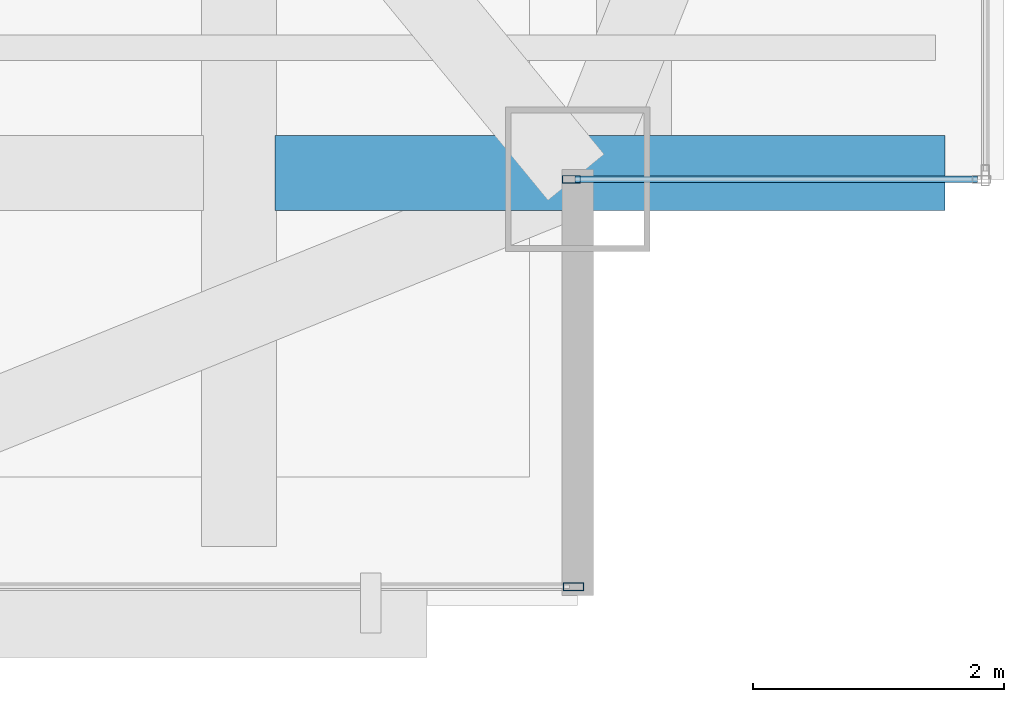
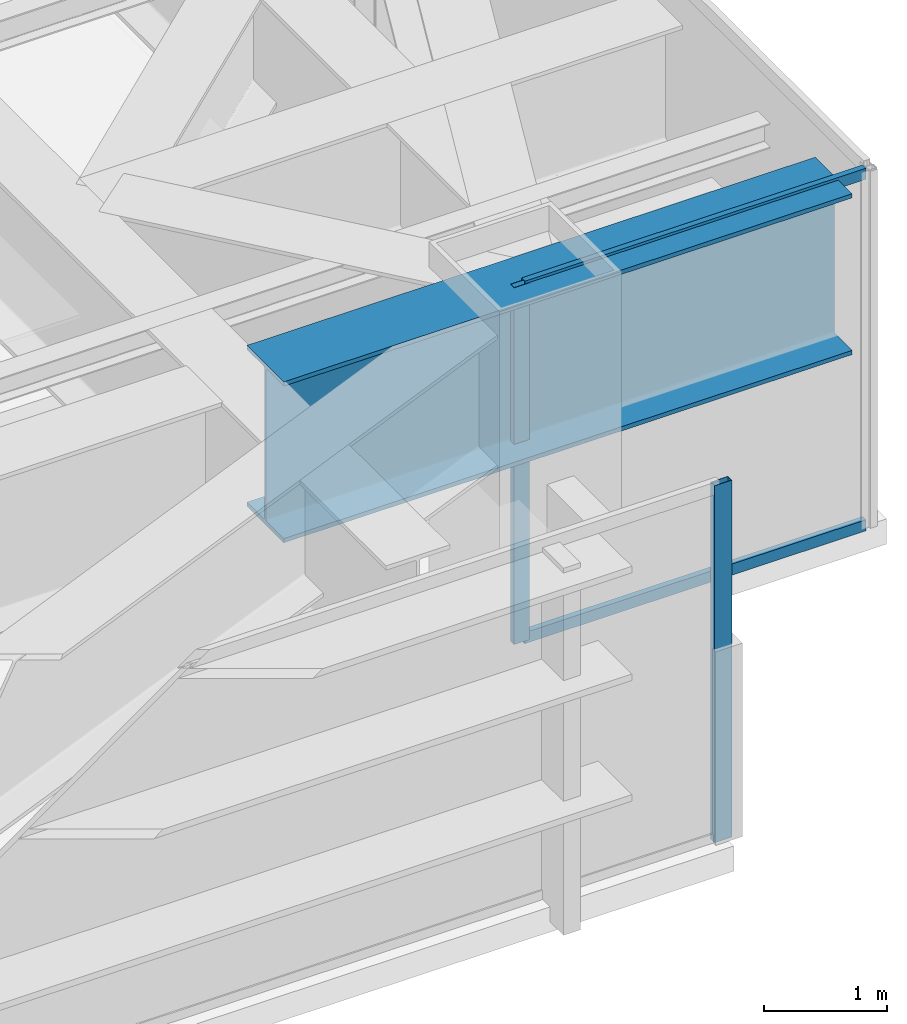
# One storey, part 12 of 23: 4 members, 1 beam, 2 elements without a shape of their own.
"""IFC4 building model written with IfcOpenShell, lengths in metres."""

from ifc_helpers import new_model, si_unit, direction, frame, origin, origin_2d, place, context, subcontext, project, spatial, hollow_rectangle, i_section, extrude, source, transform, mapped, material, layer, layer_set, material_profile, profile_set, type_object, type_shapes, element, aggregate, save


model = new_model("IFC4")

# Units and contexts
model_context = context("Model", 3, precision=1e-05, world=origin(), true_north=direction((0.0, 1.0)))
body_context = subcontext(model_context, "Body", "Model", "MODEL_VIEW")
ifc_project = project(units=[si_unit("LENGTHUNIT", "METRE"), si_unit("AREAUNIT", "SQUARE_METRE"), si_unit("VOLUMEUNIT", "CUBIC_METRE"), si_unit("PLANEANGLEUNIT", "RADIAN"), si_unit("MASSUNIT", "GRAM", prefix="KILO")], contexts=[model_context])

# Site, building, storey
site_placement = place(None, origin())
site = spatial("IfcSite", under=ifc_project, at=site_placement, CompositionType="ELEMENT")
building_placement = place(site_placement, origin())
building = spatial("IfcBuilding", under=site, at=building_placement, Name="Varnel Quay Broadcast Tower", CompositionType="ELEMENT")
storey_placement = place(building_placement, frame((0.0, 0.0, 254.60009765625)))
storey = spatial("IfcBuildingStorey", under=building, at=storey_placement, Name="L63", CompositionType="ELEMENT", Elevation=254.60009765625)

# Beam
ifc_material_1 = material(Name="Structural Steel CSA G40.21 350WT", Category="steel")
ifc_material_profile_1 = material_profile(ifc_material_1, i_section(OverallWidth=0.60009765625, OverallDepth=1.60009765625, WebThickness=0.02392578125, FlangeThickness=0.0419921875, FilletRadius=0.02197265625, at=origin_2d()), Name="WWF1600X620")
ifc_profile_set_1 = profile_set([ifc_material_profile_1], Name="Structural Steel CSA G40.21 350WT")
beam_type = type_object("IfcBeamType", Name="Girder_WWF1600X620", PredefinedType="BEAM", material=ifc_profile_set_1)
shared_shape_1 = source(origin(), body_context, "Body", "SweptSolid", [
    extrude(i_section(OverallWidth=0.60009765625, OverallDepth=1.60009765625, WebThickness=0.02392578125, FlangeThickness=0.0419921875, FilletRadius=0.02197265625, at=origin_2d()), origin(), (0.0, 0.0, 1.0), 5.344970703125),
])
type_shapes(beam_type, [shared_shape_1])
beam_placement = place(storey_placement, frame((52.68505859375, 13.64990234375, 2.75), z_axis=(1.0, 0.0, 0.0), x_axis=(0.0, 1.0, 0.0)))
element("IfcBeam", 1, at=beam_placement, inside=storey, type_object=beam_type, Name="L63 Setback South Transfer Header 8", PredefinedType="BEAM", context=body_context, shape_type="MappedRepresentation", body=[
    mapped(shared_shape_1, transform((0.0, 0.0, 0.0), x_axis=(1.0, 0.0, 0.0), y_axis=(0.0, 1.0, 0.0), z_axis=(0.0, 0.0, 1.0), scale=1.0)),
])

# Curtain wall, member
ifc_material_2 = material(Name="Anodised Bronze Aluminium 6063-T6", Category="aluminium")
ifc_layer_1 = layer(ifc_material_2, 0.18994140625, Name="Anodised Bronze Aluminium 6063-T6")
ifc_layer_set_1 = layer_set([ifc_layer_1], Name="Anodised Bronze Aluminium 6063-T6")
curtain_wall_type_1 = type_object("IfcCurtainWallType", Name="CW_NotchCorner", PredefinedType="NOTDEFINED", material=ifc_layer_set_1)
curtain_wall_1_placement = place(storey_placement, origin())
curtain_wall_1 = element("IfcCurtainWall", 2, at=curtain_wall_1_placement, inside=storey, type_object=curtain_wall_type_1, Name="L63 SE Notch Curtain Wall", PredefinedType="NOTDEFINED")
ifc_material_profile_2 = material_profile(ifc_material_2, hollow_rectangle(XDim=0.06005859375, YDim=0.14501953125, WallThickness=0.00341796875, at=origin_2d()), Name="ALU60X145X3.5")
ifc_profile_set_2 = profile_set([ifc_material_profile_2], Name="Anodised Bronze Aluminium 6063-T6")
member_type_1 = type_object("IfcMemberType", Name="Mull_CWS-04", PredefinedType="MULLION", material=ifc_profile_set_2)
shared_shape_2 = source(origin(), body_context, "Body", "SweptSolid", [
    extrude(hollow_rectangle(XDim=0.06005859375, YDim=0.14501953125, WallThickness=0.00341796875, at=origin_2d()), origin(), (0.0, 0.0, 1.0), 3.5498046875),
])
type_shapes(member_type_1, [shared_shape_2])
member_1_placement = place(storey_placement, frame((55.050048828125, 13.60009765625, 0.0), z_axis=(0.0, 0.0, 1.0), x_axis=(0.0, 1.0, 0.0)))
member_1 = element("IfcMember", 3, at=member_1_placement, type_object=member_type_1, Name="CWS-04 mullion 1", PredefinedType="MULLION", context=body_context, shape_type="MappedRepresentation", body=[
    mapped(shared_shape_2, transform((0.0, 0.0, 0.0), x_axis=(1.0, 0.0, 0.0), y_axis=(0.0, 1.0, 0.0), z_axis=(0.0, 0.0, 1.0), scale=1.0)),
])

ifc_layer_2 = layer(ifc_material_2, 0.18994140625, Name="Anodised Bronze Aluminium 6063-T6")
ifc_layer_set_2 = layer_set([ifc_layer_2], Name="Anodised Bronze Aluminium 6063-T6")
curtain_wall_type_2 = type_object("IfcCurtainWallType", Name="CW_UpperTower", PredefinedType="NOTDEFINED", material=ifc_layer_set_2)
curtain_wall_2_placement = place(storey_placement, origin())
curtain_wall_2 = element("IfcCurtainWall", 4, at=curtain_wall_2_placement, inside=storey, type_object=curtain_wall_type_2, Name="L63 South Unitised Curtain Wall 1", PredefinedType="NOTDEFINED")
ifc_material_profile_3 = material_profile(ifc_material_2, hollow_rectangle(XDim=0.06494140625, YDim=0.1650390625, WallThickness=0.00341796875, at=origin_2d()), Name="ALU65X165X3.5")
ifc_profile_set_3 = profile_set([ifc_material_profile_3], Name="Anodised Bronze Aluminium 6063-T6")
member_type_2 = type_object("IfcMemberType", Name="Mull_CWS-03", PredefinedType="MULLION", material=ifc_profile_set_3)
shared_shape_3 = source(origin(), body_context, "Body", "SweptSolid", [
    extrude(hollow_rectangle(XDim=0.06494140625, YDim=0.1650390625, WallThickness=0.00341796875, at=origin_2d()), origin(), (0.0, 0.0, 1.0), 3.5498046875),
])
type_shapes(member_type_2, [shared_shape_3])
member_2_placement = place(storey_placement, frame((55.0673828125, 10.35009765625, 0.0), z_axis=(0.0, 0.0, 1.0), x_axis=(0.0, 1.0, 0.0)))
member_2 = element("IfcMember", 5, at=member_2_placement, type_object=member_type_2, Name="CWS-03 mullion 4", PredefinedType="MULLION", context=body_context, shape_type="MappedRepresentation", body=[
    mapped(shared_shape_3, transform((0.0, 0.0, 0.0), x_axis=(1.0, 0.0, 0.0), y_axis=(0.0, 1.0, 0.0), z_axis=(0.0, 0.0, 1.0), scale=1.0)),
])
aggregate(curtain_wall_2, [member_2])

# Member
ifc_material_profile_4 = material_profile(ifc_material_2, hollow_rectangle(XDim=0.054931640625, YDim=0.110107421875, WallThickness=0.0029296875, at=origin_2d()), Name="ALU55X110X3")
ifc_profile_set_4 = profile_set([ifc_material_profile_4], Name="Anodised Bronze Aluminium 6063-T6")
member_type_3 = type_object("IfcMemberType", Name="Tran_CWS-04", PredefinedType="USERDEFINED", material=ifc_profile_set_4)
shared_shape_4 = source(origin(), body_context, "Body", "SweptSolid", [
    extrude(hollow_rectangle(XDim=0.054931640625, YDim=0.110107421875, WallThickness=0.0029296875, at=origin_2d()), origin(), (0.0, 0.0, 1.0), 3.2099609375),
])
type_shapes(member_type_3, [shared_shape_4])
member_3_placement = place(storey_placement, frame((55.080078125, 13.60009765625, 0.02734375), z_axis=(1.0, 0.0, 0.0), x_axis=(0.0, 1.0, 0.0)))
member_3 = element("IfcMember", 6, at=member_3_placement, type_object=member_type_3, Name="CWS-04 transom 1.1", ObjectType="TRANSOM", PredefinedType="USERDEFINED", context=body_context, shape_type="MappedRepresentation", body=[
    mapped(shared_shape_4, transform((0.0, 0.0, 0.0), x_axis=(1.0, 0.0, 0.0), y_axis=(0.0, 1.0, 0.0), z_axis=(0.0, 0.0, 1.0), scale=1.0)),
])

member_4_placement = place(storey_placement, frame((55.080078125, 13.60009765625, 3.5224609375), z_axis=(1.0, 0.0, 0.0), x_axis=(0.0, 1.0, 0.0)))
member_4 = element("IfcMember", 7, at=member_4_placement, type_object=member_type_3, Name="CWS-04 transom 1.2", ObjectType="TRANSOM", PredefinedType="USERDEFINED", context=body_context, shape_type="MappedRepresentation", body=[
    mapped(shared_shape_4, transform((0.0, 0.0, 0.0), x_axis=(1.0, 0.0, 0.0), y_axis=(0.0, 1.0, 0.0), z_axis=(0.0, 0.0, 1.0), scale=1.0)),
])

aggregate(curtain_wall_1, [member_1, member_3, member_4])

save(model, "model.ifc")
